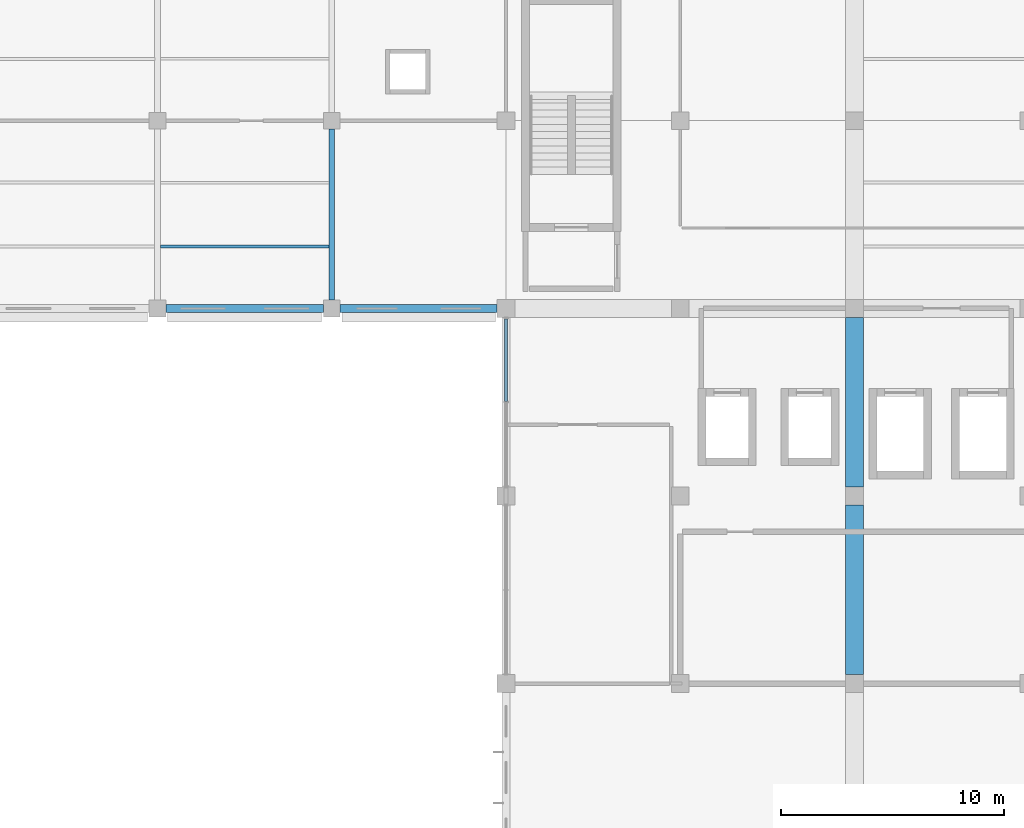
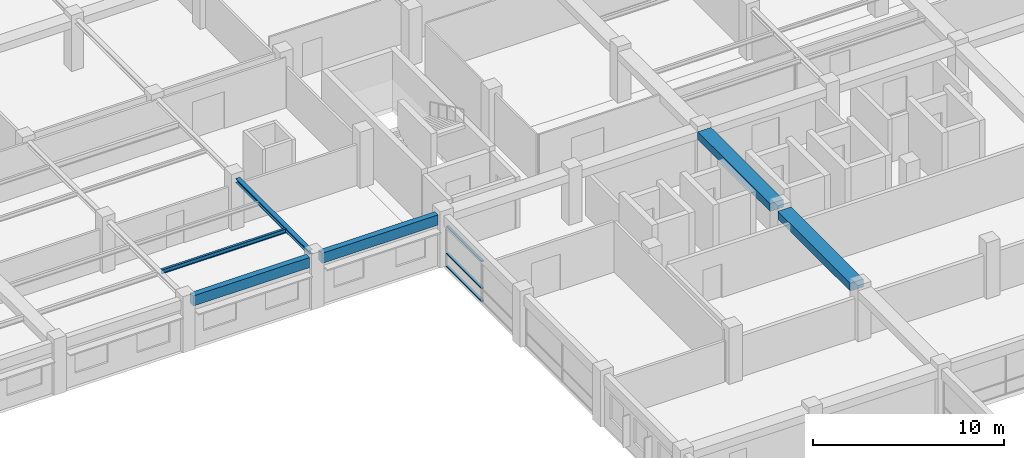
# One storey, part 22 of 50: 6 beams, 3 members, 1 element without a shape of its own.
"""IFC4 building model written with IfcOpenShell, lengths in metres."""

import ifcopenshell
import ifcopenshell.guid

model = None  # the IFC model being written
_history = None  # IfcOwnerHistory: only IFC2X3 demands one
_inside = {}  # id of a spatial element -> (the spatial element, [elements in it])
_under = {}  # id of a project, library or spatial element -> (it, [spatial elements below it])
_declared = {}  # id of a project -> (the project, [libraries it declares])
_typed = {}  # id of a type object -> (the type object, [elements of that type])
_made_of = {}  # id of a material, layer set ... -> (it, [elements and type objects made of it])


def new_model(schema):
    """Start an empty IFC model of exactly this schema.

    Asked for "IFC4X3", IfcOpenShell would pick the latest addendum, in which some entities
    have other attributes; the version numbers below select the first issue.
    IFC2X3 requires an IfcOwnerHistory on every rooted entity: one is made here for all.
    """
    global model, _history
    if schema == "IFC4X3":
        model = ifcopenshell.file(schema_version=(4, 3, 0, 0))
    else:
        model = ifcopenshell.file(schema=schema)
    _inside.clear()
    _under.clear()
    _declared.clear()
    _typed.clear()
    _made_of.clear()
    _history = None
    if model.schema == "IFC2X3":
        org = make("IfcOrganization", Name="unknown")
        user = make(
            "IfcPersonAndOrganization",
            ThePerson=make("IfcPerson", FamilyName="unknown"),
            TheOrganization=org,
        )
        app = make(
            "IfcApplication",
            ApplicationDeveloper=org,
            Version="unknown",
            ApplicationFullName="unknown",
            ApplicationIdentifier="unknown",
        )
        _history = make(
            "IfcOwnerHistory",
            OwningUser=user,
            OwningApplication=app,
            ChangeAction="ADDED",
            CreationDate=0,
        )
    return model


def make(cls, **values):
    """One entity of the class cls with the attributes given. An attribute that is None is left unset."""
    return model.create_entity(
        cls, **{name: value for name, value in values.items() if value is not None}
    )


def rooted(cls, **values):
    """An entity with a GlobalId (a new one), such as an element, a storey or a relation."""
    return make(cls, GlobalId=ifcopenshell.guid.new(), OwnerHistory=_history, **values)


def si_unit(unit_type, name, prefix=None):
    """IfcSIUnit, for example si_unit("LENGTHUNIT", "METRE", prefix="MILLI")."""
    return make("IfcSIUnit", UnitType=unit_type, Prefix=prefix, Name=name)


def assignment(units):
    """IfcUnitAssignment: the units of a project."""
    return None if units is None else make("IfcUnitAssignment", Units=units)


def point(xyz):
    """IfcCartesianPoint."""
    return None if xyz is None else make("IfcCartesianPoint", Coordinates=xyz)


def direction(xyz):
    """IfcDirection."""
    return None if xyz is None else make("IfcDirection", DirectionRatios=xyz)


def frame(location, z_axis=None, x_axis=None):
    """IfcAxis2Placement3D, a coordinate frame: its origin and axes. An axis left out is left unset."""
    return make(
        "IfcAxis2Placement3D",
        Location=point(location),
        Axis=direction(z_axis),
        RefDirection=direction(x_axis),
    )


def frame_2d(location, x_axis=None):
    """IfcAxis2Placement2D, a coordinate frame in the plane: its origin and x axis."""
    return make(
        "IfcAxis2Placement2D", Location=point(location), RefDirection=direction(x_axis)
    )


def origin():
    """The frame at (0, 0, 0) with its axes left unset."""
    return frame((0.0, 0.0, 0.0))


def origin_2d():
    """The frame at (0, 0) in the plane with its x axis left unset."""
    return frame_2d((0.0, 0.0))


def place(relative_to, where):
    """IfcLocalPlacement: puts the frame where relative to a parent placement (None: the world)."""
    return make(
        "IfcLocalPlacement", PlacementRelTo=relative_to, RelativePlacement=where
    )


def context(
    kind, dimensions, precision=None, world=None, true_north=None, identifier=None
):
    """IfcGeometricRepresentationContext, for example the 3D "Model" context."""
    return make(
        "IfcGeometricRepresentationContext",
        ContextIdentifier=identifier,
        ContextType=kind,
        CoordinateSpaceDimension=dimensions,
        Precision=precision,
        WorldCoordinateSystem=world,
        TrueNorth=true_north,
    )


def subcontext(parent, identifier, kind, view, scale=None):
    """IfcGeometricRepresentationSubContext, for example "Body" below "Model"."""
    return make(
        "IfcGeometricRepresentationSubContext",
        ContextIdentifier=identifier,
        ContextType=kind,
        ParentContext=parent,
        TargetScale=scale,
        TargetView=view,
    )


def project(units=None, contexts=None):
    """IfcProject with its units and contexts."""
    return rooted(
        "IfcProject",
        Name="project",
        RepresentationContexts=contexts,
        UnitsInContext=assignment(units),
    )


def spatial(cls, under=None, at=None, **own):
    """A site, building, storey or space (cls), placed at a placement, below another one or the project."""
    s = rooted(cls, ObjectPlacement=at, **own)
    if under is not None:
        _under.setdefault(under.id(), (under, []))[1].append(s)
    return s


def profile(cls, at=None, kind="AREA", **sizes):
    """A parametric profile (cls). Its sizes go by their IFC names, for example OverallWidth=200.0."""
    return make(cls, ProfileType=kind, Position=at, **sizes)


def rectangle(**sizes):
    """IfcRectangleProfileDef."""
    return profile("IfcRectangleProfileDef", **sizes)


def hollow_rectangle(**sizes):
    """IfcRectangleHollowProfileDef."""
    return profile("IfcRectangleHollowProfileDef", **sizes)


def i_section(**sizes):
    """IfcIShapeProfileDef."""
    return profile("IfcIShapeProfileDef", **sizes)


def extrude(swept, where, along, depth):
    """IfcExtrudedAreaSolid: the profile swept, set in the frame where, extruded along a direction by depth."""
    return make(
        "IfcExtrudedAreaSolid",
        SweptArea=swept,
        Position=where,
        ExtrudedDirection=direction(along),
        Depth=depth,
    )


def shape(context_of_items, identifier, shape_type, items):
    """IfcShapeRepresentation: the items that make up one representation, for example the "Body"."""
    return make(
        "IfcShapeRepresentation",
        ContextOfItems=context_of_items,
        RepresentationIdentifier=identifier,
        RepresentationType=shape_type,
        Items=items,
    )


def material(Name=None, Category=None):
    """IfcMaterial."""
    return make("IfcMaterial", Name=Name, Category=Category)


def material_profile(
    of_material, cross_section, Name=None, Category=None, Priority=None
):
    """IfcMaterialProfile: a cross section and its material."""
    return make(
        "IfcMaterialProfile",
        Name=Name,
        Material=of_material,
        Profile=cross_section,
        Priority=Priority,
        Category=Category,
    )


def profile_set(profiles, Name=None, composite=None):
    """IfcMaterialProfileSet."""
    return make(
        "IfcMaterialProfileSet",
        Name=Name,
        MaterialProfiles=profiles,
        CompositeProfile=composite,
    )


def made_of(thing, what):
    """Note that an element or type object is made of a material, layer set ...; save() writes the relation."""
    if what is not None:
        _made_of.setdefault(what.id(), (what, []))[1].append(thing)
    return thing


def type_object(cls, material=None, **own):
    """A type object (cls), such as IfcWallType, which elements share."""
    return made_of(rooted(cls, **own), material)


def element(
    cls,
    number,
    at=None,
    inside=None,
    cuts=None,
    type_object=None,
    material=None,
    context=None,
    identifier="Body",
    shape_type=None,
    held_by="IfcProductDefinitionShape",
    body=None,
    shapes=None,
    **own,
):
    """One element of the class cls, such as IfcWall. Its Tag is "e" and its number.

    at: its placement. inside: the storey or other place that contains it. cuts: it is an
    opening in that element (IfcRelVoidsElement). A single representation is given by context,
    identifier, shape_type and body (its items); several are given by shapes. held_by: the class
    of the entity that holds the representations. save() writes the other relations.
    """
    e = rooted(cls, Tag="e%d" % number, ObjectPlacement=at, **own)
    if body is not None:
        shapes = [shape(context, identifier, shape_type, body)]
    if shapes is not None:
        e.Representation = make(held_by, Representations=shapes)
    if inside is not None:
        _inside.setdefault(inside.id(), (inside, []))[1].append(e)
    if cuts is not None:
        rooted(
            "IfcRelVoidsElement", RelatingBuildingElement=cuts, RelatedOpeningElement=e
        )
    if type_object is not None:
        _typed.setdefault(type_object.id(), (type_object, []))[1].append(e)
    return made_of(e, material)


def aggregate(whole, parts):
    """IfcRelAggregates: a whole, such as a stair, and the parts it consists of."""
    return rooted("IfcRelAggregates", RelatingObject=whole, RelatedObjects=parts)


def save(model, path):
    """Write the relations noted so far, then the file.

    IfcRelAggregates (storeys below a building ...), IfcRelContainedInSpatialStructure (elements
    in a storey), IfcRelDefinesByType, IfcRelAssociatesMaterial and IfcRelDeclares: one each for
    every whole, place, type object, material and project.
    """
    for whole, parts in _under.values():
        aggregate(whole, parts)
    for where, things in _inside.values():
        rooted(
            "IfcRelContainedInSpatialStructure",
            RelatedElements=things,
            RelatingStructure=where,
        )
    for kind, things in _typed.values():
        rooted("IfcRelDefinesByType", RelatedObjects=things, RelatingType=kind)
    for what, things in _made_of.values():
        rooted("IfcRelAssociatesMaterial", RelatedObjects=things, RelatingMaterial=what)
    for by, libraries in _declared.values():
        rooted("IfcRelDeclares", RelatingContext=by, RelatedDefinitions=libraries)
    model.write(path)


model = new_model("IFC4")

# Units and contexts
model_context = context("Model", 3, precision=1e-05, world=origin(), true_north=direction((0.0, 1.0)))
body_context = subcontext(model_context, "Body", "Model", "MODEL_VIEW")
ifc_project = project(units=[si_unit("LENGTHUNIT", "METRE"), si_unit("AREAUNIT", "SQUARE_METRE"), si_unit("VOLUMEUNIT", "CUBIC_METRE"), si_unit("PLANEANGLEUNIT", "RADIAN"), si_unit("MASSUNIT", "GRAM", prefix="KILO"), si_unit("THERMODYNAMICTEMPERATUREUNIT", "KELVIN"), si_unit("POWERUNIT", "WATT")], contexts=[model_context])

# Site, building, storey
site_placement = place(None, origin())
site = spatial("IfcSite", under=ifc_project, at=site_placement, CompositionType="ELEMENT")
building_placement = place(site_placement, origin())
building = spatial("IfcBuilding", under=site, at=building_placement, Name="Srebrne Nadtorze General Hospital", CompositionType="ELEMENT")
storey_placement = place(building_placement, frame((0.0, 0.0, 14.39990234375)))
storey = spatial("IfcBuildingStorey", under=building, at=storey_placement, Name="L03", CompositionType="ELEMENT", Elevation=14.39990234375)

# Curtain wall, members
ifc_material_1 = material(Name="Anodised Aluminium", Category="aluminium")
curtain_wall_type = type_object("IfcCurtainWallType", Name="Unitised curtain wall 7600x2620", PredefinedType="NOTDEFINED", material=ifc_material_1)
curtain_wall_placement = place(storey_placement, origin())
curtain_wall = element("IfcCurtainWall", 1, at=curtain_wall_placement, inside=storey, type_object=curtain_wall_type, Name="Curtain wall CW-097", PredefinedType="NOTDEFINED")
ifc_material_2 = material(Name="Anodised Aluminium", Category="aluminium")
ifc_material_profile_1 = material_profile(ifc_material_2, hollow_rectangle(XDim=0.06494140625, YDim=0.139892578125, WallThickness=0.00390625, at=origin_2d()), Name="AL-TRN-65x140")
ifc_profile_set_1 = profile_set([ifc_material_profile_1], Name="Anodised Aluminium")
member_type = type_object("IfcMemberType", Name="Curtain transom 65x140", PredefinedType="USERDEFINED", material=ifc_profile_set_1)
member_1_placement = place(storey_placement, frame((101.39990234375, 46.232421875, 0.03271484375), z_axis=(0.0, 1.0, 0.0), x_axis=(0.0, 0.0, 1.0)))
member_1 = element("IfcMember", 2, at=member_1_placement, type_object=member_type, Name="CW-097 transom 2.1", ObjectType="TRANSOM", PredefinedType="USERDEFINED", context=body_context, shape_type="SweptSolid", body=[
    extrude(hollow_rectangle(XDim=0.06494140625, YDim=0.139892578125, WallThickness=0.00390625, at=origin_2d()), origin(), (0.0, 0.0, 1.0), 3.70263671875),
])
member_2_placement = place(storey_placement, frame((101.39990234375, 46.232421875, 0.85009765625), z_axis=(0.0, 1.0, 0.0), x_axis=(0.0, 0.0, 1.0)))
member_2 = element("IfcMember", 3, at=member_2_placement, type_object=member_type, Name="CW-097 transom 2.2", ObjectType="TRANSOM", PredefinedType="USERDEFINED", context=body_context, shape_type="SweptSolid", body=[
    extrude(hollow_rectangle(XDim=0.06494140625, YDim=0.139892578125, WallThickness=0.00390625, at=origin_2d()), origin(), (0.0, 0.0, 1.0), 3.70263671875),
])
member_3_placement = place(storey_placement, frame((101.39990234375, 46.232421875, 2.587646484375), z_axis=(0.0, 1.0, 0.0), x_axis=(0.0, 0.0, 1.0)))
member_3 = element("IfcMember", 4, at=member_3_placement, type_object=member_type, Name="CW-097 transom 2.3", ObjectType="TRANSOM", PredefinedType="USERDEFINED", context=body_context, shape_type="SweptSolid", body=[
    extrude(hollow_rectangle(XDim=0.06494140625, YDim=0.139892578125, WallThickness=0.00390625, at=origin_2d()), origin(), (0.0, 0.0, 1.0), 3.70263671875),
])
aggregate(curtain_wall, [member_1, member_2, member_3])

# Beams
ifc_material_3 = material(Name="Concrete C35/45", Category="concrete")
ifc_material_profile_2 = material_profile(ifc_material_3, rectangle(XDim=0.35009765625, YDim=0.64990234375, at=origin_2d()), Name="RC-BM-350x650")
ifc_profile_set_2 = profile_set([ifc_material_profile_2], Name="Concrete C35/45")
beam_type_1 = type_object("IfcBeamType", Name="Edge beam RC 350x650", PredefinedType="BEAM", material=ifc_profile_set_2)
beam_1_placement = place(storey_placement, frame((86.175048828125, 50.39990234375, 2.945068359375), z_axis=(1.0, 0.0, 0.0), x_axis=(0.0, 1.0, 0.0)))
element("IfcBeam", 5, at=beam_1_placement, inside=storey, type_object=beam_type_1, Name="Beam BM-L03-X-0749", PredefinedType="BEAM", context=body_context, shape_type="SweptSolid", body=[
    extrude(rectangle(XDim=0.35009765625, YDim=0.64990234375, at=origin_2d()), origin(), (0.0, 0.0, 1.0), 7.050048828125),
])
beam_2_placement = place(storey_placement, frame((93.97509765625, 50.39990234375, 2.945068359375), z_axis=(1.0, 0.0, 0.0), x_axis=(0.0, 1.0, 0.0)))
element("IfcBeam", 6, at=beam_2_placement, inside=storey, type_object=beam_type_1, Name="Beam BM-L03-X-0750", PredefinedType="BEAM", context=body_context, shape_type="SweptSolid", body=[
    extrude(rectangle(XDim=0.35009765625, YDim=0.64990234375, at=origin_2d()), origin(), (0.0, 0.0, 1.0), 7.02490234375),
])
ifc_material_4 = material(Name="Steel S355J2", Category="steel")
ifc_material_profile_3 = material_profile(ifc_material_4, i_section(OverallWidth=0.260009765625, OverallDepth=0.25, WebThickness=0.007568359375, FlangeThickness=0.012451171875, FilletRadius=0.02392578125, at=origin_2d()), Name="HEA-260")
ifc_profile_set_3 = profile_set([ifc_material_profile_3], Name="Steel S355J2")
beam_type_2 = type_object("IfcBeamType", Name="Primary beam HEA 260", PredefinedType="BEAM", material=ifc_profile_set_3)
beam_3_placement = place(storey_placement, frame((93.60009765625, 50.77490234375, 3.14501953125), z_axis=(0.0, 1.0, 0.0), x_axis=(-1.0, 0.0, 0.0)))
element("IfcBeam", 7, at=beam_3_placement, inside=storey, type_object=beam_type_2, Name="Interstitial steel beam SB-L03-0018", PredefinedType="BEAM", context=body_context, shape_type="SweptSolid", body=[
    extrude(i_section(OverallWidth=0.260009765625, OverallDepth=0.25, WebThickness=0.007568359375, FlangeThickness=0.012451171875, FilletRadius=0.02392578125, at=origin_2d()), origin(), (0.0, 0.0, 1.0), 7.650146484375),
])
ifc_material_5 = material(Name="Concrete C40/50", Category="concrete")
ifc_material_profile_4 = material_profile(ifc_material_5, rectangle(XDim=0.800048828125, YDim=0.5, at=origin_2d()), Name="RC-BM-800x500")
ifc_profile_set_4 = profile_set([ifc_material_profile_4], Name="Concrete C40/50")
beam_type_3 = type_object("IfcBeamType", Name="Primary beam RC 800x500", PredefinedType="BEAM", material=ifc_profile_set_4)
for number, where, z_axis, x_axis, name in (
    (8, (117.0, 34.0, 3.02001953125), (0.0, 1.0, 0.0), (-1.0, 0.0, 0.0), "Beam BM-L03-Y-0830"),
    (9, (117.0, 42.39990234375, 3.02001953125), (0.0, 1.0, 0.0), (-1.0, 0.0, 0.0), "Beam BM-L03-Y-0831"),
):
    element("IfcBeam", number, at=place(storey_placement, frame(where, z_axis=z_axis, x_axis=x_axis)), inside=storey, type_object=beam_type_3, Name=name, PredefinedType="BEAM", context=body_context, shape_type="SweptSolid", body=[
        extrude(rectangle(XDim=0.800048828125, YDim=0.5, at=origin_2d()), origin(), (0.0, 0.0, 1.0), 7.60009765625),
    ])
ifc_material_6 = material(Name="Steel S355J2", Category="steel")
ifc_material_profile_5 = material_profile(ifc_material_6, i_section(OverallWidth=0.135009765625, OverallDepth=0.27001953125, WebThickness=0.006591796875, FlangeThickness=0.01025390625, FilletRadius=0.014892578125, at=origin_2d()), Name="IPE-270")
ifc_profile_set_5 = profile_set([ifc_material_profile_5], Name="Steel S355J2")
beam_type_4 = type_object("IfcBeamType", Name="Secondary joist IPE 270", PredefinedType="JOIST", material=ifc_profile_set_5)
beam_4_placement = place(storey_placement, frame((85.93505859375, 53.172119140625, 3.135009765625), z_axis=(1.0, 0.0, 0.0), x_axis=(0.0, 1.0, 0.0)))
element("IfcBeam", 10, at=beam_4_placement, inside=storey, type_object=beam_type_4, Name="Interstitial deck joist SJ-L03-0070", PredefinedType="JOIST", context=body_context, shape_type="SweptSolid", body=[
    extrude(i_section(OverallWidth=0.135009765625, OverallDepth=0.27001953125, WebThickness=0.006591796875, FlangeThickness=0.01025390625, FilletRadius=0.014892578125, at=origin_2d()), origin(), (0.0, 0.0, 1.0), 7.5400390625),
])

save(model, "model.ifc")
